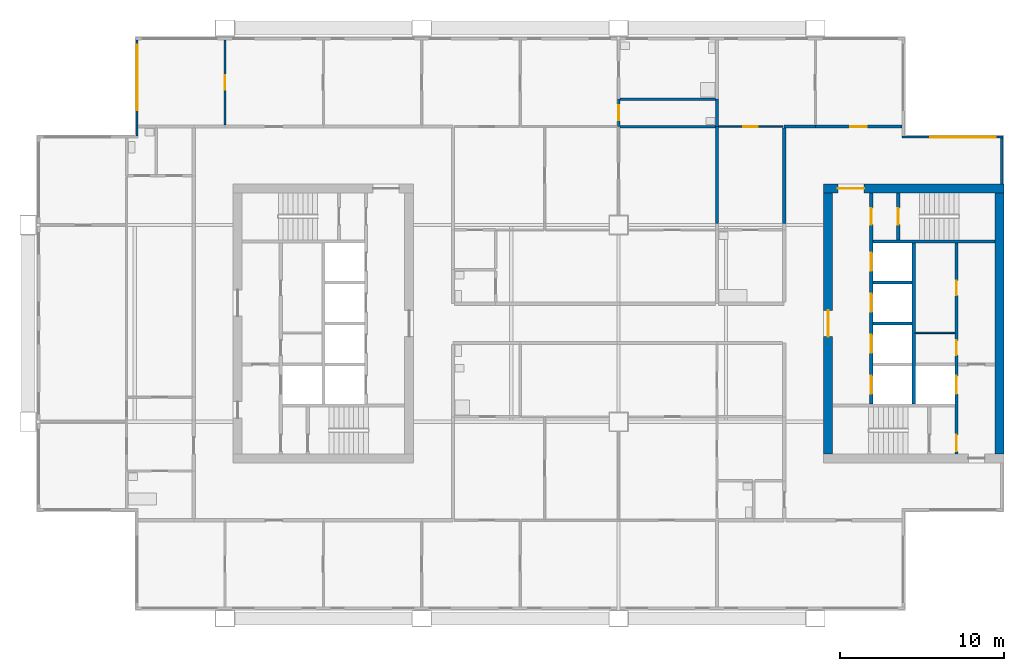
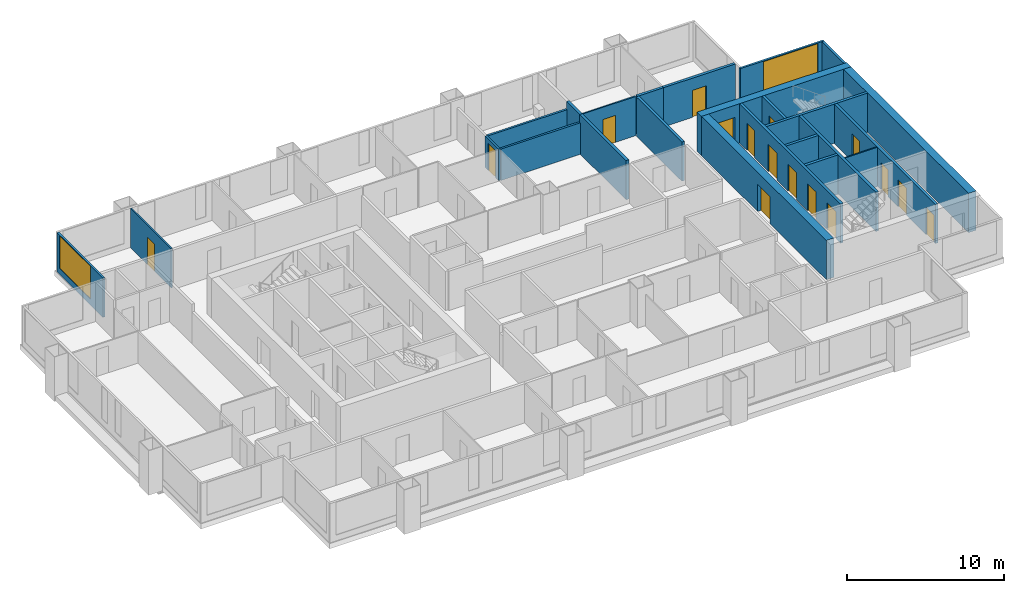
# One storey, part 6 of 10: 24 walls, 16 doors, 2 windows, 18 openings.
"""IFC4 building model written with IfcOpenShell, lengths in metres."""

from ifc_helpers import new_model, si_unit, direction, frame, frame_2d, origin, place, context, subcontext, project, spatial, rectangle, extrude, material, layer, layer_set, type_object, element, fill, save


model = new_model("IFC4")

# Units and contexts
model_context = context("Model", 3, precision=1e-05, world=origin(), true_north=direction((0.0, 1.0)))
body_context = subcontext(model_context, "Body", "Model", "MODEL_VIEW")
ifc_project = project(units=[si_unit("LENGTHUNIT", "METRE"), si_unit("AREAUNIT", "SQUARE_METRE"), si_unit("VOLUMEUNIT", "CUBIC_METRE"), si_unit("PLANEANGLEUNIT", "RADIAN"), si_unit("MASSUNIT", "GRAM", prefix="KILO")], contexts=[model_context])

# Site, building, storey
site_placement = place(None, origin())
site = spatial("IfcSite", under=ifc_project, at=site_placement, CompositionType="ELEMENT")
building_placement = place(site_placement, origin())
building = spatial("IfcBuilding", under=site, at=building_placement, Name="Kitamizu Gate Tower and Museum", CompositionType="ELEMENT")
storey_placement = place(building_placement, frame((0.0, 0.0, 185.85009765625)))
storey = spatial("IfcBuildingStorey", under=building, at=storey_placement, Name="L49", CompositionType="ELEMENT", Elevation=185.85009765625)

# Wall, opening, door
ifc_material_1 = material(Name="Concrete Fc42", Category="concrete")
ifc_layer_1 = layer(ifc_material_1, 0.550048828125)
ifc_layer_set_1 = layer_set([ifc_layer_1], Name="Concrete Fc42")
wall_type_1 = type_object("IfcWallType", Name="Core wall 550", PredefinedType="SHEAR", material=ifc_layer_set_1)
wall_1_placement = place(storey_placement, frame((59.5, 38.22509765625, 0.0), z_axis=(0.0, 0.0, 1.0), x_axis=(-1.0, 0.0, 0.0)))
wall_1 = element("IfcWall", 1, at=wall_1_placement, inside=storey, type_object=wall_type_1, Name="Core wall EN", PredefinedType="SHEAR", context=body_context, shape_type="SweptSolid", body=[
    extrude(rectangle(XDim=11.0, YDim=0.550048828125, at=frame_2d((5.5, 0.0))), origin(), (0.0, 0.0, 1.0), 3.0498046875),
])
opening_1_placement = place(wall_1_placement, frame((8.52490234375, 0.0, 0.0)))
opening_1 = element("IfcOpeningElement", 2, at=opening_1_placement, cuts=wall_1, Name="Opening L49-058", PredefinedType="OPENING", context=body_context, shape_type="SweptSolid", body=[
    extrude(rectangle(XDim=1.60009765625, YDim=2.10009765625, at=frame_2d((0.800048828125, 1.050048828125))), frame((0.0, 0.28515625, 0.0), z_axis=(0.0, -1.0, 0.0), x_axis=(1.0, 0.0, 0.0)), (0.0, 0.0, 1.0), 0.570068359375),
])
ifc_material_2 = material(Name="Timber door set", Category="wood")
door_type_1 = type_object("IfcDoorType", Name="Entrance door 1600", OperationType="DOUBLE_DOOR_SINGLE_SWING", PredefinedType="DOOR", material=ifc_material_2)
door_1_placement = place(opening_1_placement, origin())
door_1 = element("IfcDoor", 3, at=door_1_placement, inside=storey, type_object=door_type_1, Name="Lobby door L49-058", OperationType="DOUBLE_DOOR_SINGLE_SWING", OverallHeight=2.10009765625, OverallWidth=1.60009765625, PredefinedType="DOOR", context=body_context, shape_type="SweptSolid", body=[
    extrude(rectangle(XDim=1.60009765625, YDim=2.10009765625, at=frame_2d((0.800048828125, 1.050048828125))), frame((0.0, 0.02490234375, 0.0), z_axis=(0.0, -1.0, 0.0), x_axis=(1.0, 0.0, 0.0)), (0.0, 0.0, 1.0), 0.050048828125),
])
fill(opening_1, door_1)

# Wall
wall_2_placement = place(storey_placement, frame((59.22509765625, 22.050048828125, 0.0), z_axis=(0.0, 0.0, 1.0), x_axis=(0.0, 1.0, 0.0)))
element("IfcWall", 4, at=wall_2_placement, inside=storey, type_object=wall_type_1, Name="Core wall EOUT", PredefinedType="SHEAR", context=body_context, shape_type="SweptSolid", body=[
    extrude(rectangle(XDim=15.89990234375, YDim=0.550048828125, at=frame_2d((7.949951171875, 0.0))), origin(), (0.0, 0.0, 1.0), 3.0498046875),
])

# Wall, opening, door
wall_3_placement = place(storey_placement, frame((48.77490234375, 22.050048828125, 0.0), z_axis=(0.0, 0.0, 1.0), x_axis=(0.0, 1.0, 0.0)))
wall_3 = element("IfcWall", 5, at=wall_3_placement, inside=storey, type_object=wall_type_1, Name="Core wall EARC", PredefinedType="SHEAR", context=body_context, shape_type="SweptSolid", body=[
    extrude(rectangle(XDim=15.89990234375, YDim=0.550048828125, at=frame_2d((7.949951171875, 0.0))), origin(), (0.0, 0.0, 1.0), 3.0498046875),
])
opening_2_placement = place(wall_3_placement, frame((7.14990234375, 0.0, 0.0)))
opening_2 = element("IfcOpeningElement", 6, at=opening_2_placement, cuts=wall_3, Name="Opening L49-059", PredefinedType="OPENING", context=body_context, shape_type="SweptSolid", body=[
    extrude(rectangle(XDim=1.60009765625, YDim=2.10009765625, at=frame_2d((0.800048828125, 1.050048828125))), frame((0.0, 0.28515625, 0.0), z_axis=(0.0, -1.0, 0.0), x_axis=(1.0, 0.0, 0.0)), (0.0, 0.0, 1.0), 0.570068359375),
])
door_2_placement = place(opening_2_placement, origin())
door_2 = element("IfcDoor", 7, at=door_2_placement, inside=storey, type_object=door_type_1, Name="Lobby door L49-059", OperationType="DOUBLE_DOOR_SINGLE_SWING", OverallHeight=2.10009765625, OverallWidth=1.60009765625, PredefinedType="DOOR", context=body_context, shape_type="SweptSolid", body=[
    extrude(rectangle(XDim=1.60009765625, YDim=2.10009765625, at=frame_2d((0.800048828125, 1.050048828125))), frame((0.0, 0.02490234375, 0.0), z_axis=(0.0, -1.0, 0.0), x_axis=(1.0, 0.0, 0.0)), (0.0, 0.0, 1.0), 0.050048828125),
])
fill(opening_2, door_2)

# Wall
ifc_material_3 = material(Name="Gypsum board on galvanised stud")
ifc_layer_2 = layer(ifc_material_3, 0.10009765625)
ifc_layer_set_2 = layer_set([ifc_layer_2], Name="Gypsum board on galvanised stud")
wall_type_2 = type_object("IfcWallType", Name="Partition 100", PredefinedType="PARTITIONING", material=ifc_layer_set_2)
wall_4_placement = place(storey_placement, frame((56.5, 29.425048828125, 0.0), z_axis=(0.0, 0.0, 1.0), x_axis=(-1.0, 0.0, 0.0)))
element("IfcWall", 8, at=wall_4_placement, inside=storey, type_object=wall_type_2, Name="Partition EPF1", PredefinedType="PARTITIONING", context=body_context, shape_type="SweptSolid", body=[
    extrude(rectangle(XDim=2.39990234375, YDim=0.10009765625, at=frame_2d((1.199951171875, 0.0))), origin(), (0.0, 0.0, 1.0), 3.0498046875),
])

# Wall, opening, door
ifc_material_4 = material(Name="Gypsum board on galvanised stud")
ifc_layer_3 = layer(ifc_material_4, 0.10009765625)
ifc_layer_set_3 = layer_set([ifc_layer_3], Name="Gypsum board on galvanised stud")
wall_type_3 = type_object("IfcWallType", Name="Partition 100 NOT RATED", PredefinedType="PARTITIONING", material=ifc_layer_set_3)
wall_5_placement = place(storey_placement, frame((12.0, 42.10009765625, 0.0), z_axis=(0.0, 0.0, 1.0), x_axis=(0.0, 1.0, 0.0)))
wall_5 = element("IfcWall", 9, at=wall_5_placement, inside=storey, type_object=wall_type_3, Name="Partition L49-041", PredefinedType="PARTITIONING", context=body_context, shape_type="SweptSolid", body=[
    extrude(rectangle(XDim=5.179931640625, YDim=0.10009765625, at=frame_2d((2.58984375, 0.0))), origin(), (0.0, 0.0, 1.0), 3.0498046875),
])
opening_3_placement = place(wall_5_placement, frame((2.139892578125, 0.0, 0.0)))
opening_3 = element("IfcOpeningElement", 10, at=opening_3_placement, cuts=wall_5, Name="Opening L49-017", PredefinedType="OPENING", context=body_context, shape_type="SweptSolid", body=[
    extrude(rectangle(XDim=0.89990234375, YDim=2.10009765625, at=frame_2d((0.449951171875, 1.050048828125))), frame((0.0, 0.06005859375, 0.0), z_axis=(0.0, -1.0, 0.0), x_axis=(1.0, 0.0, 0.0)), (0.0, 0.0, 1.0), 0.1201171875),
])
ifc_material_5 = material(Name="Timber door set", Category="wood")
door_type_2 = type_object("IfcDoorType", Name="Room door 900", OperationType="NOTDEFINED", PredefinedType="DOOR", material=ifc_material_5)
door_3_placement = place(opening_3_placement, origin())
door_3 = element("IfcDoor", 11, at=door_3_placement, inside=storey, type_object=door_type_2, Name="Door L49-017", OperationType="SINGLE_SWING_RIGHT", OverallHeight=2.10009765625, OverallWidth=0.89990234375, PredefinedType="DOOR", context=body_context, shape_type="SweptSolid", body=[
    extrude(rectangle(XDim=0.89990234375, YDim=2.10009765625, at=frame_2d((0.449951171875, 1.050048828125))), frame((0.0, 0.02490234375, 0.0), z_axis=(0.0, -1.0, 0.0), x_axis=(1.0, 0.0, 0.0)), (0.0, 0.0, 1.0), 0.050048828125),
])
fill(opening_3, door_3)

wall_6_placement = place(storey_placement, frame((42.10009765625, 42.0, 0.0), z_axis=(0.0, 0.0, 1.0), x_axis=(1.0, 0.0, 0.0)))
wall_6 = element("IfcWall", 12, at=wall_6_placement, inside=storey, type_object=wall_type_3, Name="Partition L49-099", PredefinedType="PARTITIONING", context=body_context, shape_type="SweptSolid", body=[
    extrude(rectangle(XDim=3.89990234375, YDim=0.10009765625, at=frame_2d((1.949951171875, 0.0))), origin(), (0.0, 0.0, 1.0), 3.0498046875),
])
opening_4_placement = place(wall_6_placement, frame((1.5, 0.0, 0.0)))
opening_4 = element("IfcOpeningElement", 13, at=opening_4_placement, cuts=wall_6, Name="Opening L49-038", PredefinedType="OPENING", context=body_context, shape_type="SweptSolid", body=[
    extrude(rectangle(XDim=0.89990234375, YDim=2.10009765625, at=frame_2d((0.449951171875, 1.050048828125))), frame((0.0, 0.06005859375, 0.0), z_axis=(0.0, -1.0, 0.0), x_axis=(1.0, 0.0, 0.0)), (0.0, 0.0, 1.0), 0.1201171875),
])
door_4_placement = place(opening_4_placement, frame((0.89990234375, 0.0, 0.0), x_axis=(-1.0, 0.0, 0.0)))
door_4 = element("IfcDoor", 14, at=door_4_placement, inside=storey, type_object=door_type_2, Name="Door L49-038", OperationType="SINGLE_SWING_LEFT", OverallHeight=2.10009765625, OverallWidth=0.89990234375, PredefinedType="DOOR", context=body_context, shape_type="SweptSolid", body=[
    extrude(rectangle(XDim=0.89990234375, YDim=2.10009765625, at=frame_2d((0.449951171875, 1.050048828125))), frame((0.0, 0.02490234375, 0.0), z_axis=(0.0, -1.0, 0.0), x_axis=(1.0, 0.0, 0.0)), (0.0, 0.0, 1.0), 0.050048828125),
])
fill(opening_4, door_4)

ifc_material_6 = material(Name="Gypsum board on galvanised stud")
ifc_layer_4 = layer(ifc_material_6, 0.14990234375)
ifc_layer_set_4 = layer_set([ifc_layer_4], Name="Gypsum board on galvanised stud")
wall_type_4 = type_object("IfcWallType", Name="Partition 150", PredefinedType="PARTITIONING", material=ifc_layer_set_4)
wall_7_placement = place(storey_placement, frame((36.0, 42.0, 0.0), z_axis=(0.0, 0.0, 1.0), x_axis=(0.0, 1.0, 0.0)))
wall_7 = element("IfcWall", 15, at=wall_7_placement, inside=storey, type_object=wall_type_4, Name="Partition L49-053", PredefinedType="PARTITIONING", context=body_context, shape_type="SweptSolid", body=[
    extrude(rectangle(XDim=1.679931640625, YDim=0.14990234375, at=frame_2d((0.83984375, 0.0))), origin(), (0.0, 0.0, 1.0), 2.449951171875),
])
opening_5_placement = place(wall_7_placement, frame((0.389892578125, 0.0, 0.0)))
opening_5 = element("IfcOpeningElement", 16, at=opening_5_placement, cuts=wall_7, Name="Opening L49-021", PredefinedType="OPENING", context=body_context, shape_type="SweptSolid", body=[
    extrude(rectangle(XDim=0.89990234375, YDim=2.10009765625, at=frame_2d((0.449951171875, 1.050048828125))), frame((0.0, 0.0849609375, 0.0), z_axis=(0.0, -1.0, 0.0), x_axis=(1.0, 0.0, 0.0)), (0.0, 0.0, 1.0), 0.169921875),
])
ifc_material_7 = material(Name="Timber door set", Category="wood")
door_type_3 = type_object("IfcDoorType", Name="Bathroom door 900", OperationType="NOTDEFINED", PredefinedType="DOOR", material=ifc_material_7)
door_5_placement = place(opening_5_placement, frame((0.89990234375, 0.0, 0.0), x_axis=(-1.0, 0.0, 0.0)))
door_5 = element("IfcDoor", 17, at=door_5_placement, inside=storey, type_object=door_type_3, Name="Bathroom door L49-021", OperationType="SINGLE_SWING_LEFT", OverallHeight=2.10009765625, OverallWidth=0.89990234375, PredefinedType="DOOR", context=body_context, shape_type="SweptSolid", body=[
    extrude(rectangle(XDim=0.89990234375, YDim=2.10009765625, at=frame_2d((0.449951171875, 1.050048828125))), frame((0.0, 0.02490234375, 0.0), z_axis=(0.0, -1.0, 0.0), x_axis=(1.0, 0.0, 0.0)), (0.0, 0.0, 1.0), 0.050048828125),
])
fill(opening_5, door_5)

# Walls
for number, where, z_axis, x_axis, name in (
    (18, (36.074951171875, 43.679931640625, 0.0), (0.0, 0.0, 1.0), (1.0, 0.0, 0.0), "Partition L49-056"),
    (19, (36.074951171875, 42.0, 0.0), (0.0, 0.0, 1.0), (1.0, 0.0, 0.0), "Partition L49-058"),
):
    element("IfcWall", number, at=place(storey_placement, frame(where, z_axis=z_axis, x_axis=x_axis)), inside=storey, type_object=wall_type_4, Name=name, PredefinedType="PARTITIONING", context=body_context, shape_type="SweptSolid", body=[
        extrude(rectangle(XDim=5.824951171875, YDim=0.14990234375, at=frame_2d((2.91259765625, 0.0))), origin(), (0.0, 0.0, 1.0), 2.449951171875),
    ])
ifc_material_8 = material(Name="Gypsum board on galvanised stud")
ifc_layer_5 = layer(ifc_material_8, 0.199951171875)
ifc_layer_set_5 = layer_set([ifc_layer_5], Name="Gypsum board on galvanised stud")
wall_type_5 = type_object("IfcWallType", Name="Partition 200", PredefinedType="PARTITIONING", material=ifc_layer_set_5)
wall_8_placement = place(storey_placement, frame((42.0, 42.0, 0.0), z_axis=(0.0, 0.0, 1.0), x_axis=(0.0, 1.0, 0.0)))
element("IfcWall", 20, at=wall_8_placement, inside=storey, type_object=wall_type_5, Name="Partition L49-059", PredefinedType="PARTITIONING", context=body_context, shape_type="SweptSolid", body=[
    extrude(rectangle(XDim=1.679931640625, YDim=0.199951171875, at=frame_2d((0.83984375, 0.0))), origin(), (0.0, 0.0, 1.0), 3.0498046875),
])
wall_9_placement = place(storey_placement, frame((42.0, 36.10009765625, 0.0), z_axis=(0.0, 0.0, 1.0), x_axis=(0.0, 1.0, 0.0)))
element("IfcWall", 21, at=wall_9_placement, inside=storey, type_object=wall_type_5, Name="Partition L49-069", PredefinedType="PARTITIONING", context=body_context, shape_type="SweptSolid", body=[
    extrude(rectangle(XDim=5.89990234375, YDim=0.199951171875, at=frame_2d((2.949951171875, 0.0))), origin(), (0.0, 0.0, 1.0), 3.0498046875),
])
wall_10_placement = place(storey_placement, frame((46.10009765625, 42.0, 0.0), z_axis=(0.0, 0.0, 1.0), x_axis=(1.0, 0.0, 0.0)))
element("IfcWall", 22, at=wall_10_placement, inside=storey, type_object=wall_type_5, Name="Partition L49-100", PredefinedType="PARTITIONING", context=body_context, shape_type="SweptSolid", body=[
    extrude(rectangle(XDim=1.89990234375, YDim=0.199951171875, at=frame_2d((0.949951171875, 0.0))), origin(), (0.0, 0.0, 1.0), 3.0498046875),
])

# Wall, opening, door
wall_11_placement = place(storey_placement, frame((48.0, 42.0, 0.0), z_axis=(0.0, 0.0, 1.0), x_axis=(1.0, 0.0, 0.0)))
wall_11 = element("IfcWall", 23, at=wall_11_placement, inside=storey, type_object=wall_type_5, Name="Partition L49-101", PredefinedType="PARTITIONING", context=body_context, shape_type="SweptSolid", body=[
    extrude(rectangle(XDim=5.280029296875, YDim=0.199951171875, at=frame_2d((2.64013671875, 0.0))), origin(), (0.0, 0.0, 1.0), 3.0498046875),
])
opening_6_placement = place(wall_11_placement, frame((2.139892578125, 0.0, 0.0)))
opening_6 = element("IfcOpeningElement", 24, at=opening_6_placement, cuts=wall_11, Name="Opening L49-036", PredefinedType="OPENING", context=body_context, shape_type="SweptSolid", body=[
    extrude(rectangle(XDim=1.0, YDim=2.10009765625, at=frame_2d((0.5, 1.050048828125))), frame((0.0, 0.10986328125, 0.0), z_axis=(0.0, -1.0, 0.0), x_axis=(1.0, 0.0, 0.0)), (0.0, 0.0, 1.0), 0.219970703125),
])
ifc_material_9 = material(Name="Timber door set", Category="wood")
door_type_4 = type_object("IfcDoorType", Name="Flat entrance door 1000", OperationType="NOTDEFINED", PredefinedType="DOOR", material=ifc_material_9)
door_6_placement = place(opening_6_placement, origin())
door_6 = element("IfcDoor", 25, at=door_6_placement, inside=storey, type_object=door_type_4, Name="Flat entrance door L49-036", OperationType="SINGLE_SWING_RIGHT", OverallHeight=2.10009765625, OverallWidth=1.0, PredefinedType="DOOR", context=body_context, shape_type="SweptSolid", body=[
    extrude(rectangle(XDim=1.0, YDim=2.10009765625, at=frame_2d((0.5, 1.050048828125))), frame((0.0, 0.02490234375, 0.0), z_axis=(0.0, -1.0, 0.0), x_axis=(1.0, 0.0, 0.0)), (0.0, 0.0, 1.0), 0.050048828125),
])
fill(opening_6, door_6)

# Wall
wall_12_placement = place(storey_placement, frame((46.10009765625, 36.10009765625, 0.0), z_axis=(0.0, 0.0, 1.0), x_axis=(0.0, 1.0, 0.0)))
element("IfcWall", 26, at=wall_12_placement, inside=storey, type_object=wall_type_5, Name="Partition L49-104", PredefinedType="PARTITIONING", context=body_context, shape_type="SweptSolid", body=[
    extrude(rectangle(XDim=5.7998046875, YDim=0.199951171875, at=frame_2d((2.89990234375, 0.0))), origin(), (0.0, 0.0, 1.0), 3.0498046875),
])

# Wall, openings, doors
ifc_material_10 = material(Name="Concrete Fc42", Category="concrete")
ifc_layer_6 = layer(ifc_material_10, 0.199951171875)
ifc_layer_set_6 = layer_set([ifc_layer_6], Name="Concrete Fc42")
wall_type_6 = type_object("IfcWallType", Name="Shaft wall 200", PredefinedType="SOLIDWALL", material=ifc_layer_set_6)
wall_13_placement = place(storey_placement, frame((56.60009765625, 22.050048828125, 0.0), z_axis=(0.0, 0.0, 1.0), x_axis=(0.0, 1.0, 0.0)))
wall_13 = element("IfcWall", 27, at=wall_13_placement, inside=storey, type_object=wall_type_6, Name="Shaft wall EWEST", PredefinedType="SOLIDWALL", context=body_context, shape_type="SweptSolid", body=[
    extrude(rectangle(XDim=12.849853515625, YDim=0.199951171875, at=frame_2d((6.4248046875, 0.0))), origin(), (0.0, 0.0, 1.0), 3.0498046875),
])
opening_7_placement = place(wall_13_placement, frame((3.64990234375, 0.0, 0.0)))
opening_7 = element("IfcOpeningElement", 28, at=opening_7_placement, cuts=wall_13, Name="Opening LD", PredefinedType="OPENING", context=body_context, shape_type="SweptSolid", body=[
    extrude(rectangle(XDim=1.10009765625, YDim=2.10009765625, at=frame_2d((0.550048828125, 1.050048828125))), frame((0.0, 0.10986328125, 0.0), z_axis=(0.0, -1.0, 0.0), x_axis=(1.0, 0.0, 0.0)), (0.0, 0.0, 1.0), 0.219970703125),
])
opening_8_placement = place(wall_13_placement, frame((0.14990234375, 0.0, 0.0)))
opening_8 = element("IfcOpeningElement", 29, at=opening_8_placement, cuts=wall_13, Name="Opening L49-053", PredefinedType="OPENING", context=body_context, shape_type="SweptSolid", body=[
    extrude(rectangle(XDim=1.0, YDim=2.10009765625, at=frame_2d((0.5, 1.050048828125))), frame((0.0, 0.10986328125, 0.0), z_axis=(0.0, -1.0, 0.0), x_axis=(1.0, 0.0, 0.0)), (0.0, 0.0, 1.0), 0.219970703125),
])
opening_9_placement = place(wall_13_placement, frame((6.012451171875, 0.0, 0.0)))
opening_9 = element("IfcOpeningElement", 30, at=opening_9_placement, cuts=wall_13, Name="Opening L49-060", PredefinedType="OPENING", context=body_context, shape_type="SweptSolid", body=[
    extrude(rectangle(XDim=0.89990234375, YDim=2.10009765625, at=frame_2d((0.449951171875, 1.050048828125))), frame((0.0, 0.10986328125, 0.0), z_axis=(0.0, -1.0, 0.0), x_axis=(1.0, 0.0, 0.0)), (0.0, 0.0, 1.0), 0.219970703125),
])
opening_10_placement = place(wall_13_placement, frame((9.66259765625, 0.0, 0.0)))
opening_10 = element("IfcOpeningElement", 31, at=opening_10_placement, cuts=wall_13, Name="Opening L49-061", PredefinedType="OPENING", context=body_context, shape_type="SweptSolid", body=[
    extrude(rectangle(XDim=0.89990234375, YDim=2.10009765625, at=frame_2d((0.449951171875, 1.050048828125))), frame((0.0, 0.10986328125, 0.0), z_axis=(0.0, -1.0, 0.0), x_axis=(1.0, 0.0, 0.0)), (0.0, 0.0, 1.0), 0.219970703125),
])
ifc_material_11 = material(Name="Hollow metal door set")
door_type_5 = type_object("IfcDoorType", Name="Fire door 1000", OperationType="NOTDEFINED", PredefinedType="DOOR", material=ifc_material_11)
door_7_placement = place(opening_8_placement, origin())
door_7 = element("IfcDoor", 32, at=door_7_placement, inside=storey, type_object=door_type_5, Name="Stair lobby door L49-053", OperationType="SINGLE_SWING_RIGHT", OverallHeight=2.10009765625, OverallWidth=1.0, PredefinedType="DOOR", context=body_context, shape_type="SweptSolid", body=[
    extrude(rectangle(XDim=1.0, YDim=2.10009765625, at=frame_2d((0.5, 1.050048828125))), frame((0.0, 0.02490234375, 0.0), z_axis=(0.0, -1.0, 0.0), x_axis=(1.0, 0.0, 0.0)), (0.0, 0.0, 1.0), 0.050048828125),
])
fill(opening_8, door_7)
ifc_material_12 = material(Name="Hollow metal door set")
door_type_6 = type_object("IfcDoorType", Name="Landing door 1100", OperationType="SLIDING_TO_LEFT", PredefinedType="DOOR", material=ifc_material_12)
door_8_placement = place(opening_7_placement, origin())
door_8 = element("IfcDoor", 33, at=door_8_placement, inside=storey, type_object=door_type_6, Name="Landing door EFF1", OperationType="SLIDING_TO_LEFT", OverallHeight=2.10009765625, OverallWidth=1.10009765625, PredefinedType="DOOR", context=body_context, shape_type="SweptSolid", body=[
    extrude(rectangle(XDim=1.10009765625, YDim=2.10009765625, at=frame_2d((0.550048828125, 1.050048828125))), frame((0.0, 0.02490234375, 0.0), z_axis=(0.0, -1.0, 0.0), x_axis=(1.0, 0.0, 0.0)), (0.0, 0.0, 1.0), 0.050048828125),
])
fill(opening_7, door_8)
ifc_material_13 = material(Name="Timber door set", Category="wood")
door_type_7 = type_object("IfcDoorType", Name="Service door 900", OperationType="NOTDEFINED", PredefinedType="DOOR", material=ifc_material_13)
door_9_placement = place(opening_9_placement, origin())
door_9 = element("IfcDoor", 34, at=door_9_placement, inside=storey, type_object=door_type_7, Name="Service door L49-060", OperationType="SINGLE_SWING_LEFT", OverallHeight=2.10009765625, OverallWidth=0.89990234375, PredefinedType="DOOR", context=body_context, shape_type="SweptSolid", body=[
    extrude(rectangle(XDim=0.89990234375, YDim=2.10009765625, at=frame_2d((0.449951171875, 1.050048828125))), frame((0.0, 0.02490234375, 0.0), z_axis=(0.0, -1.0, 0.0), x_axis=(1.0, 0.0, 0.0)), (0.0, 0.0, 1.0), 0.050048828125),
])
fill(opening_9, door_9)
door_10_placement = place(opening_10_placement, origin())
door_10 = element("IfcDoor", 35, at=door_10_placement, inside=storey, type_object=door_type_7, Name="Service door L49-061", OperationType="SINGLE_SWING_RIGHT", OverallHeight=2.10009765625, OverallWidth=0.89990234375, PredefinedType="DOOR", context=body_context, shape_type="SweptSolid", body=[
    extrude(rectangle(XDim=0.89990234375, YDim=2.10009765625, at=frame_2d((0.449951171875, 1.050048828125))), frame((0.0, 0.02490234375, 0.0), z_axis=(0.0, -1.0, 0.0), x_axis=(1.0, 0.0, 0.0)), (0.0, 0.0, 1.0), 0.050048828125),
])
fill(opening_10, door_10)

wall_14_placement = place(storey_placement, frame((51.39990234375, 25.10009765625, 0.0), z_axis=(0.0, 0.0, 1.0), x_axis=(0.0, 1.0, 0.0)))
wall_14 = element("IfcWall", 36, at=wall_14_placement, inside=storey, type_object=wall_type_6, Name="Shaft wall EEAST", PredefinedType="SOLIDWALL", context=body_context, shape_type="SweptSolid", body=[
    extrude(rectangle(XDim=12.849853515625, YDim=0.199951171875, at=frame_2d((6.4248046875, 0.0))), origin(), (0.0, 0.0, 1.0), 3.0498046875),
])
opening_11_placement = place(wall_14_placement, frame((0.60009765625, 0.0, 0.0)))
opening_11 = element("IfcOpeningElement", 37, at=opening_11_placement, cuts=wall_14, Name="Opening LD", PredefinedType="OPENING", context=body_context, shape_type="SweptSolid", body=[
    extrude(rectangle(XDim=1.10009765625, YDim=2.10009765625, at=frame_2d((0.550048828125, 1.050048828125))), frame((0.0, 0.10986328125, 0.0), z_axis=(0.0, -1.0, 0.0), x_axis=(1.0, 0.0, 0.0)), (0.0, 0.0, 1.0), 0.219970703125),
])
opening_12_placement = place(wall_14_placement, frame((3.10009765625, 0.0, 0.0)))
opening_12 = element("IfcOpeningElement", 38, at=opening_12_placement, cuts=wall_14, Name="Opening LD", PredefinedType="OPENING", context=body_context, shape_type="SweptSolid", body=[
    extrude(rectangle(XDim=1.10009765625, YDim=2.10009765625, at=frame_2d((0.550048828125, 1.050048828125))), frame((0.0, 0.10986328125, 0.0), z_axis=(0.0, -1.0, 0.0), x_axis=(1.0, 0.0, 0.0)), (0.0, 0.0, 1.0), 0.219970703125),
])
opening_13_placement = place(wall_14_placement, frame((5.60009765625, 0.0, 0.0)))
opening_13 = element("IfcOpeningElement", 39, at=opening_13_placement, cuts=wall_14, Name="Opening LD", PredefinedType="OPENING", context=body_context, shape_type="SweptSolid", body=[
    extrude(rectangle(XDim=1.10009765625, YDim=2.10009765625, at=frame_2d((0.550048828125, 1.050048828125))), frame((0.0, 0.10986328125, 0.0), z_axis=(0.0, -1.0, 0.0), x_axis=(1.0, 0.0, 0.0)), (0.0, 0.0, 1.0), 0.219970703125),
])
opening_14_placement = place(wall_14_placement, frame((8.10009765625, 0.0, 0.0)))
opening_14 = element("IfcOpeningElement", 40, at=opening_14_placement, cuts=wall_14, Name="Opening LD", PredefinedType="OPENING", context=body_context, shape_type="SweptSolid", body=[
    extrude(rectangle(XDim=1.10009765625, YDim=2.10009765625, at=frame_2d((0.550048828125, 1.050048828125))), frame((0.0, 0.10986328125, 0.0), z_axis=(0.0, -1.0, 0.0), x_axis=(1.0, 0.0, 0.0)), (0.0, 0.0, 1.0), 0.219970703125),
])
opening_15_placement = place(wall_14_placement, frame((10.925048828125, 0.0, 0.0)))
opening_15 = element("IfcOpeningElement", 41, at=opening_15_placement, cuts=wall_14, Name="Opening L49-054", PredefinedType="OPENING", context=body_context, shape_type="SweptSolid", body=[
    extrude(rectangle(XDim=1.0, YDim=2.10009765625, at=frame_2d((0.5, 1.050048828125))), frame((0.0, 0.10986328125, 0.0), z_axis=(0.0, -1.0, 0.0), x_axis=(1.0, 0.0, 0.0)), (0.0, 0.0, 1.0), 0.219970703125),
])
door_11_placement = place(opening_15_placement, frame((1.0, 0.0, 0.0), x_axis=(-1.0, 0.0, 0.0)))
door_11 = element("IfcDoor", 42, at=door_11_placement, inside=storey, type_object=door_type_5, Name="Stair lobby door L49-054", OperationType="SINGLE_SWING_RIGHT", OverallHeight=2.10009765625, OverallWidth=1.0, PredefinedType="DOOR", context=body_context, shape_type="SweptSolid", body=[
    extrude(rectangle(XDim=1.0, YDim=2.10009765625, at=frame_2d((0.5, 1.050048828125))), frame((0.0, 0.02490234375, 0.0), z_axis=(0.0, -1.0, 0.0), x_axis=(1.0, 0.0, 0.0)), (0.0, 0.0, 1.0), 0.050048828125),
])
fill(opening_15, door_11)
door_12_placement = place(opening_11_placement, origin())
door_12 = element("IfcDoor", 43, at=door_12_placement, inside=storey, type_object=door_type_6, Name="Landing door ESV1", OperationType="SLIDING_TO_LEFT", OverallHeight=2.10009765625, OverallWidth=1.10009765625, PredefinedType="DOOR", context=body_context, shape_type="SweptSolid", body=[
    extrude(rectangle(XDim=1.10009765625, YDim=2.10009765625, at=frame_2d((0.550048828125, 1.050048828125))), frame((0.0, 0.02490234375, 0.0), z_axis=(0.0, -1.0, 0.0), x_axis=(1.0, 0.0, 0.0)), (0.0, 0.0, 1.0), 0.050048828125),
])
fill(opening_11, door_12)
door_13_placement = place(opening_12_placement, origin())
door_13 = element("IfcDoor", 44, at=door_13_placement, inside=storey, type_object=door_type_6, Name="Landing door EH1", OperationType="SLIDING_TO_LEFT", OverallHeight=2.10009765625, OverallWidth=1.10009765625, PredefinedType="DOOR", context=body_context, shape_type="SweptSolid", body=[
    extrude(rectangle(XDim=1.10009765625, YDim=2.10009765625, at=frame_2d((0.550048828125, 1.050048828125))), frame((0.0, 0.02490234375, 0.0), z_axis=(0.0, -1.0, 0.0), x_axis=(1.0, 0.0, 0.0)), (0.0, 0.0, 1.0), 0.050048828125),
])
fill(opening_12, door_13)
door_14_placement = place(opening_13_placement, origin())
door_14 = element("IfcDoor", 45, at=door_14_placement, inside=storey, type_object=door_type_6, Name="Landing door EH2", OperationType="SLIDING_TO_LEFT", OverallHeight=2.10009765625, OverallWidth=1.10009765625, PredefinedType="DOOR", context=body_context, shape_type="SweptSolid", body=[
    extrude(rectangle(XDim=1.10009765625, YDim=2.10009765625, at=frame_2d((0.550048828125, 1.050048828125))), frame((0.0, 0.02490234375, 0.0), z_axis=(0.0, -1.0, 0.0), x_axis=(1.0, 0.0, 0.0)), (0.0, 0.0, 1.0), 0.050048828125),
])
fill(opening_13, door_14)
door_15_placement = place(opening_14_placement, origin())
door_15 = element("IfcDoor", 46, at=door_15_placement, inside=storey, type_object=door_type_6, Name="Landing door EH3", OperationType="SLIDING_TO_LEFT", OverallHeight=2.10009765625, OverallWidth=1.10009765625, PredefinedType="DOOR", context=body_context, shape_type="SweptSolid", body=[
    extrude(rectangle(XDim=1.10009765625, YDim=2.10009765625, at=frame_2d((0.550048828125, 1.050048828125))), frame((0.0, 0.02490234375, 0.0), z_axis=(0.0, -1.0, 0.0), x_axis=(1.0, 0.0, 0.0)), (0.0, 0.0, 1.0), 0.050048828125),
])
fill(opening_14, door_15)

# Walls
wall_15_placement = place(storey_placement, frame((54.0, 25.10009765625, 0.0), z_axis=(0.0, 0.0, 1.0), x_axis=(0.0, 1.0, 0.0)))
element("IfcWall", 47, at=wall_15_placement, inside=storey, type_object=wall_type_6, Name="Shaft wall EMID", PredefinedType="SOLIDWALL", context=body_context, shape_type="SweptSolid", body=[
    extrude(rectangle(XDim=9.7998046875, YDim=0.199951171875, at=frame_2d((4.89990234375, 0.0))), origin(), (0.0, 0.0, 1.0), 3.0498046875),
])
wall_16_placement = place(storey_placement, frame((58.949951171875, 35.0, 0.0), z_axis=(0.0, 0.0, 1.0), x_axis=(-1.0, 0.0, 0.0)))
element("IfcWall", 48, at=wall_16_placement, inside=storey, type_object=wall_type_6, Name="Shaft wall ENB", PredefinedType="SOLIDWALL", context=body_context, shape_type="SweptSolid", body=[
    extrude(rectangle(XDim=7.449951171875, YDim=0.199951171875, at=frame_2d((3.72509765625, 0.0))), origin(), (0.0, 0.0, 1.0), 3.0498046875),
])

# Wall, opening, door
wall_17_placement = place(storey_placement, frame((53.050048828125, 35.10009765625, 0.0), z_axis=(0.0, 0.0, 1.0), x_axis=(0.0, 1.0, 0.0)))
wall_17 = element("IfcWall", 49, at=wall_17_placement, inside=storey, type_object=wall_type_6, Name="Shaft wall ENZ", PredefinedType="SOLIDWALL", context=body_context, shape_type="SweptSolid", body=[
    extrude(rectangle(XDim=2.849853515625, YDim=0.199951171875, at=frame_2d((1.4248046875, 0.0))), origin(), (0.0, 0.0, 1.0), 3.0498046875),
])
opening_16_placement = place(wall_17_placement, frame((0.925048828125, 0.0, 0.0)))
opening_16 = element("IfcOpeningElement", 50, at=opening_16_placement, cuts=wall_17, Name="Opening L49-055", PredefinedType="OPENING", context=body_context, shape_type="SweptSolid", body=[
    extrude(rectangle(XDim=1.0, YDim=2.10009765625, at=frame_2d((0.5, 1.050048828125))), frame((0.0, 0.10986328125, 0.0), z_axis=(0.0, -1.0, 0.0), x_axis=(1.0, 0.0, 0.0)), (0.0, 0.0, 1.0), 0.219970703125),
])
door_16_placement = place(opening_16_placement, frame((1.0, 0.0, 0.0), x_axis=(-1.0, 0.0, 0.0)))
door_16 = element("IfcDoor", 51, at=door_16_placement, inside=storey, type_object=door_type_5, Name="Stair door L49-055", OperationType="SINGLE_SWING_LEFT", OverallHeight=2.10009765625, OverallWidth=1.0, PredefinedType="DOOR", context=body_context, shape_type="SweptSolid", body=[
    extrude(rectangle(XDim=1.0, YDim=2.10009765625, at=frame_2d((0.5, 1.050048828125))), frame((0.0, 0.02490234375, 0.0), z_axis=(0.0, -1.0, 0.0), x_axis=(1.0, 0.0, 0.0)), (0.0, 0.0, 1.0), 0.050048828125),
])
fill(opening_16, door_16)

# Walls
for number, where, z_axis, x_axis, name in (
    (52, (53.89990234375, 30.0, 0.0), (0.0, 0.0, 1.0), (-1.0, 0.0, 0.0), "Shaft wall EDVE1"),
    (53, (53.89990234375, 32.5, 0.0), (0.0, 0.0, 1.0), (-1.0, 0.0, 0.0), "Shaft wall EDVE2"),
):
    element("IfcWall", number, at=place(storey_placement, frame(where, z_axis=z_axis, x_axis=x_axis)), inside=storey, type_object=wall_type_6, Name=name, PredefinedType="SOLIDWALL", context=body_context, shape_type="SweptSolid", body=[
        extrude(rectangle(XDim=2.39990234375, YDim=0.199951171875, at=frame_2d((1.199951171875, 0.0))), origin(), (0.0, 0.0, 1.0), 3.0498046875),
    ])
ifc_material_14 = material(Name="Bronze anodised aluminium frame with insulated spandrel and tinted glass", Category="aluminium")
ifc_layer_7 = layer(ifc_material_14, 0.14990234375)
ifc_layer_set_7 = layer_set([ifc_layer_7], Name="Bronze anodised aluminium frame with insulated spandrel and tinted glass")
wall_type_7 = type_object("IfcWallType", Name="WINDOW WALL 150 BRONZE FRAME EI 30", PredefinedType="ELEMENTEDWALL", material=ifc_layer_set_7)
wall_18_placement = place(storey_placement, frame((59.364990234375, 38.5, 0.0), z_axis=(0.0, 0.0, 1.0), x_axis=(0.0, 1.0, 0.0)))
element("IfcWall", 54, at=wall_18_placement, inside=storey, type_object=wall_type_7, Name="Window wall east L49", PredefinedType="ELEMENTEDWALL", context=body_context, shape_type="SweptSolid", body=[
    extrude(rectangle(XDim=2.7900390625, YDim=0.14990234375, at=frame_2d((1.39501953125, 0.0))), origin(), (0.0, 0.0, 1.0), 3.0498046875),
])

# Wall, opening, window
wall_19_placement = place(storey_placement, frame((53.2900390625, 41.364990234375, 0.0), z_axis=(0.0, 0.0, 1.0), x_axis=(1.0, 0.0, 0.0)))
wall_19 = element("IfcWall", 55, at=wall_19_placement, inside=storey, type_object=wall_type_7, Name="Window wall north L49", PredefinedType="ELEMENTEDWALL", context=body_context, shape_type="SweptSolid", body=[
    extrude(rectangle(XDim=6.14990234375, YDim=0.14990234375, at=frame_2d((3.074951171875, 0.0))), origin(), (0.0, 0.0, 1.0), 3.0498046875),
])
opening_17_placement = place(wall_19_placement, frame((1.7099609375, 0.0, 0.449951171875)))
opening_17 = element("IfcOpeningElement", 56, at=opening_17_placement, cuts=wall_19, Name="Opening W16", PredefinedType="OPENING", context=body_context, shape_type="SweptSolid", body=[
    extrude(rectangle(XDim=4.0, YDim=2.550048828125, at=frame_2d((2.0, 1.27490234375))), frame((0.0, 0.0849609375, 0.0), z_axis=(0.0, -1.0, 0.0), x_axis=(1.0, 0.0, 0.0)), (0.0, 0.0, 1.0), 0.169921875),
])
ifc_material_15 = material(Name="Bronze anodised aluminium frame, tinted triple glazing", Category="aluminium")
window_type = type_object("IfcWindowType", Name="WINDOW 4000 x 2550 SILL 450", PartitioningType="SINGLE_PANEL", PredefinedType="WINDOW", material=ifc_material_15)
window_1_placement = place(opening_17_placement, origin())
window_1 = element("IfcWindow", 57, at=window_1_placement, inside=storey, type_object=window_type, Name="Window W16 L49", OverallHeight=2.550048828125, OverallWidth=4.0, PartitioningType="SINGLE_PANEL", PredefinedType="WINDOW", context=body_context, shape_type="SweptSolid", body=[
    extrude(rectangle(XDim=4.0, YDim=2.550048828125, at=frame_2d((2.0, 1.27490234375))), frame((0.0, 0.030029296875, 0.0), z_axis=(0.0, -1.0, 0.0), x_axis=(1.0, 0.0, 0.0)), (0.0, 0.0, 1.0), 0.06005859375),
])
fill(opening_17, window_1)

wall_20_placement = place(storey_placement, frame((6.635009765625, 41.43994140625, 0.0), z_axis=(0.0, 0.0, 1.0), x_axis=(0.0, 1.0, 0.0)))
wall_20 = element("IfcWall", 58, at=wall_20_placement, inside=storey, type_object=wall_type_7, Name="Window wall west L49", PredefinedType="ELEMENTEDWALL", context=body_context, shape_type="SweptSolid", body=[
    extrude(rectangle(XDim=5.85009765625, YDim=0.14990234375, at=frame_2d((2.925048828125, 0.0))), origin(), (0.0, 0.0, 1.0), 3.0498046875),
])
opening_18_placement = place(wall_20_placement, frame((1.56005859375, 0.0, 0.449951171875)))
opening_18 = element("IfcOpeningElement", 59, at=opening_18_placement, cuts=wall_20, Name="Opening W16", PredefinedType="OPENING", context=body_context, shape_type="SweptSolid", body=[
    extrude(rectangle(XDim=4.0, YDim=2.550048828125, at=frame_2d((2.0, 1.27490234375))), frame((0.0, 0.0849609375, 0.0), z_axis=(0.0, -1.0, 0.0), x_axis=(1.0, 0.0, 0.0)), (0.0, 0.0, 1.0), 0.169921875),
])
window_2_placement = place(opening_18_placement, origin())
window_2 = element("IfcWindow", 60, at=window_2_placement, inside=storey, type_object=window_type, Name="Window W16 L49", OverallHeight=2.550048828125, OverallWidth=4.0, PartitioningType="SINGLE_PANEL", PredefinedType="WINDOW", context=body_context, shape_type="SweptSolid", body=[
    extrude(rectangle(XDim=4.0, YDim=2.550048828125, at=frame_2d((2.0, 1.27490234375))), frame((0.0, 0.030029296875, 0.0), z_axis=(0.0, -1.0, 0.0), x_axis=(1.0, 0.0, 0.0)), (0.0, 0.0, 1.0), 0.06005859375),
])
fill(opening_18, window_2)

save(model, "model.ifc")
